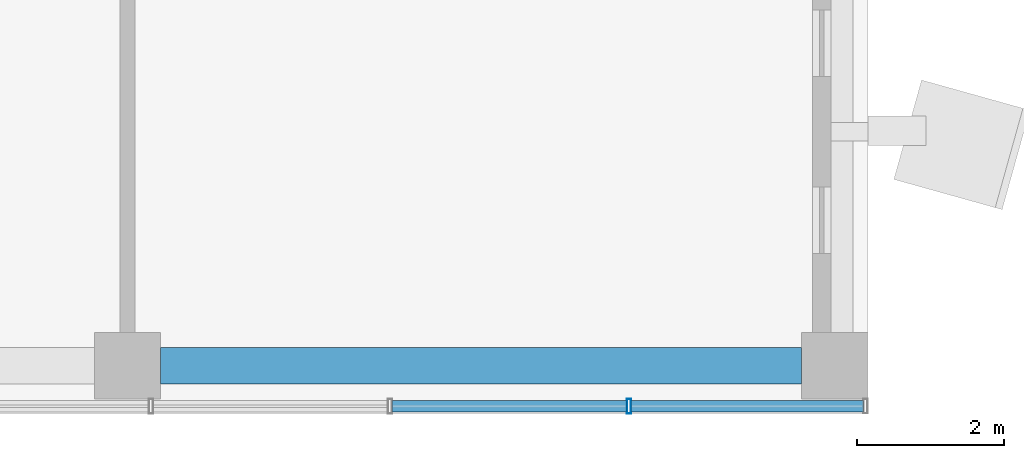
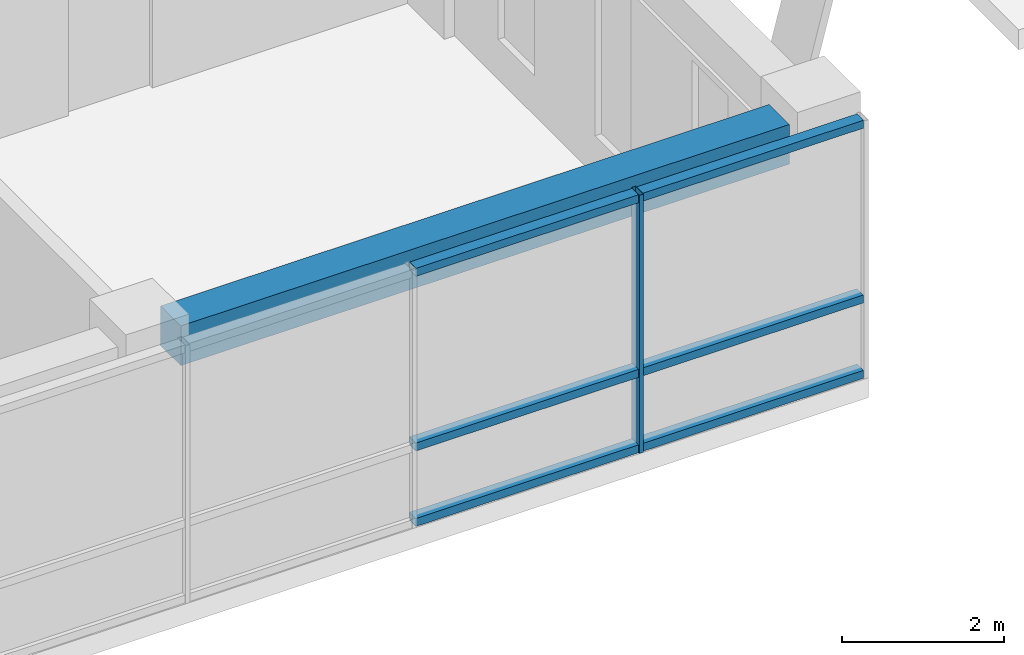
# One storey, part 12 of 36: 7 members, 1 beam, 1 element without a shape of its own.
"""IFC4 building model written with IfcOpenShell, lengths in metres."""

from ifc_helpers import new_model, si_unit, direction, frame, origin, origin_2d, place, context, subcontext, project, spatial, rectangle, hollow_rectangle, extrude, material, layer, layer_set, material_profile, profile_set, type_object, element, aggregate, save


model = new_model("IFC4")

# Units and contexts
model_context = context("Model", 3, precision=1e-05, world=origin(), true_north=direction((0.0, 1.0)))
body_context = subcontext(model_context, "Body", "Model", "MODEL_VIEW")
ifc_project = project(units=[si_unit("LENGTHUNIT", "METRE"), si_unit("AREAUNIT", "SQUARE_METRE"), si_unit("VOLUMEUNIT", "CUBIC_METRE"), si_unit("PLANEANGLEUNIT", "RADIAN"), si_unit("MASSUNIT", "GRAM", prefix="KILO")], contexts=[model_context])

# Site, building, storey
site_placement = place(None, origin())
site = spatial("IfcSite", under=ifc_project, at=site_placement, CompositionType="ELEMENT")
building_placement = place(site_placement, origin())
building = spatial("IfcBuilding", under=site, at=building_placement, Name="Nzadi Deep Aquarium and Research Tower", CompositionType="ELEMENT")
storey_placement = place(building_placement, frame((0.0, 0.0, 36.10009765625)))
storey = spatial("IfcBuildingStorey", under=building, at=storey_placement, Name="L06", CompositionType="ELEMENT", Elevation=36.10009765625)

# Curtain wall, member
ifc_material_1 = material(Name="Aluminium unitised frame", Category="aluminium")
ifc_layer = layer(ifc_material_1, 0.199951171875)
ifc_layer_set = layer_set([ifc_layer], Name="Aluminium unitised frame")
curtain_wall_type = type_object("IfcCurtainWallType", Name="Curtain wall Unitised 200", PredefinedType="NOTDEFINED", material=ifc_layer_set)
curtain_wall_placement = place(storey_placement, origin())
curtain_wall = element("IfcCurtainWall", 1, at=curtain_wall_placement, inside=storey, type_object=curtain_wall_type, Name="Unitised curtain wall blade A south L06", PredefinedType="NOTDEFINED")
ifc_material_2 = material(Name="Aluminium unitised frame", Category="aluminium")
ifc_material_profile_1 = material_profile(ifc_material_2, hollow_rectangle(XDim=0.199951171875, YDim=0.06005859375, WallThickness=0.0048828125, at=origin_2d()))
ifc_profile_set_1 = profile_set([ifc_material_profile_1], Name="Aluminium unitised frame")
member_type_1 = type_object("IfcMemberType", Name="Mullion 60x200 Unitised", PredefinedType="MULLION", material=ifc_profile_set_1)
member_1_placement = place(storey_placement, frame((45.206787109375, -0.10009765625, 0.0), z_axis=(0.0, 0.0, 1.0), x_axis=(0.0, 1.0, 0.0)))
member_1 = element("IfcMember", 2, at=member_1_placement, type_object=member_type_1, Name="CW008 mullion 15", PredefinedType="MULLION", context=body_context, shape_type="SweptSolid", body=[
    extrude(hollow_rectangle(XDim=0.199951171875, YDim=0.06005859375, WallThickness=0.0048828125, at=origin_2d()), origin(), (0.0, 0.0, 1.0), 3.89990234375),
])

# Beam
ifc_material_3 = material(Name="Concrete C35/45", Category="concrete")
ifc_material_profile_2 = material_profile(ifc_material_3, rectangle(XDim=0.5, YDim=0.60009765625, at=origin_2d()))
ifc_profile_set_2 = profile_set([ifc_material_profile_2], Name="Concrete C35/45")
beam_type = type_object("IfcBeamType", Name="RC 500x600", PredefinedType="BEAM", material=ifc_profile_set_2)
beam_placement = place(storey_placement, frame((38.85009765625, 0.449951171875, 3.599853515625), z_axis=(1.0, 0.0, 0.0), x_axis=(0.0, 1.0, 0.0)))
element("IfcBeam", 3, at=beam_placement, inside=storey, type_object=beam_type, Name="B-Z1-L06-L1-5", PredefinedType="BEAM", context=body_context, shape_type="SweptSolid", body=[
    extrude(rectangle(XDim=0.5, YDim=0.60009765625, at=origin_2d()), origin(), (0.0, 0.0, 1.0), 8.699951171875),
])

# Member
ifc_material_4 = material(Name="Aluminium unitised frame", Category="aluminium")
ifc_material_profile_3 = material_profile(ifc_material_4, hollow_rectangle(XDim=0.159912109375, YDim=0.1201171875, WallThickness=0.0048828125, at=origin_2d()))
ifc_profile_set_3 = profile_set([ifc_material_profile_3], Name="Aluminium unitised frame")
member_type_2 = type_object("IfcMemberType", Name="Transom 120x160 Unitised", PredefinedType="MULLION", material=ifc_profile_set_3)
member_2_placement = place(storey_placement, frame((41.993408203125, -0.10009765625, 0.059814453125), z_axis=(1.0, 0.0, 0.0), x_axis=(0.0, 1.0, 0.0)))
member_2 = element("IfcMember", 4, at=member_2_placement, type_object=member_type_2, Name="CW008 transom 14.1", PredefinedType="MULLION", context=body_context, shape_type="SweptSolid", body=[
    extrude(hollow_rectangle(XDim=0.159912109375, YDim=0.1201171875, WallThickness=0.0048828125, at=origin_2d()), origin(), (0.0, 0.0, 1.0), 3.183349609375),
])

member_3_placement = place(storey_placement, frame((41.993408203125, -0.10009765625, 1.199951171875), z_axis=(1.0, 0.0, 0.0), x_axis=(0.0, 1.0, 0.0)))
member_3 = element("IfcMember", 5, at=member_3_placement, type_object=member_type_2, Name="CW008 transom 14.2", PredefinedType="MULLION", context=body_context, shape_type="SweptSolid", body=[
    extrude(hollow_rectangle(XDim=0.159912109375, YDim=0.1201171875, WallThickness=0.0048828125, at=origin_2d()), origin(), (0.0, 0.0, 1.0), 3.183349609375),
])

member_4_placement = place(storey_placement, frame((41.993408203125, -0.10009765625, 3.83984375), z_axis=(1.0, 0.0, 0.0), x_axis=(0.0, 1.0, 0.0)))
member_4 = element("IfcMember", 6, at=member_4_placement, type_object=member_type_2, Name="CW008 transom 14.3", PredefinedType="MULLION", context=body_context, shape_type="SweptSolid", body=[
    extrude(hollow_rectangle(XDim=0.159912109375, YDim=0.1201171875, WallThickness=0.0048828125, at=origin_2d()), origin(), (0.0, 0.0, 1.0), 3.183349609375),
])

member_5_placement = place(storey_placement, frame((45.236572265625, -0.10009765625, 0.059814453125), z_axis=(1.0, 0.0, 0.0), x_axis=(0.0, 1.0, 0.0)))
member_5 = element("IfcMember", 7, at=member_5_placement, type_object=member_type_2, Name="CW008 transom 15.1", PredefinedType="MULLION", context=body_context, shape_type="SweptSolid", body=[
    extrude(hollow_rectangle(XDim=0.159912109375, YDim=0.1201171875, WallThickness=0.0048828125, at=origin_2d()), origin(), (0.0, 0.0, 1.0), 3.1533203125),
])

member_6_placement = place(storey_placement, frame((45.236572265625, -0.10009765625, 1.199951171875), z_axis=(1.0, 0.0, 0.0), x_axis=(0.0, 1.0, 0.0)))
member_6 = element("IfcMember", 8, at=member_6_placement, type_object=member_type_2, Name="CW008 transom 15.2", PredefinedType="MULLION", context=body_context, shape_type="SweptSolid", body=[
    extrude(hollow_rectangle(XDim=0.159912109375, YDim=0.1201171875, WallThickness=0.0048828125, at=origin_2d()), origin(), (0.0, 0.0, 1.0), 3.1533203125),
])

member_7_placement = place(storey_placement, frame((45.236572265625, -0.10009765625, 3.83984375), z_axis=(1.0, 0.0, 0.0), x_axis=(0.0, 1.0, 0.0)))
member_7 = element("IfcMember", 9, at=member_7_placement, type_object=member_type_2, Name="CW008 transom 15.3", PredefinedType="MULLION", context=body_context, shape_type="SweptSolid", body=[
    extrude(hollow_rectangle(XDim=0.159912109375, YDim=0.1201171875, WallThickness=0.0048828125, at=origin_2d()), origin(), (0.0, 0.0, 1.0), 3.1533203125),
])

aggregate(curtain_wall, [member_1, member_2, member_3, member_4, member_5, member_6, member_7])

save(model, "model.ifc")
